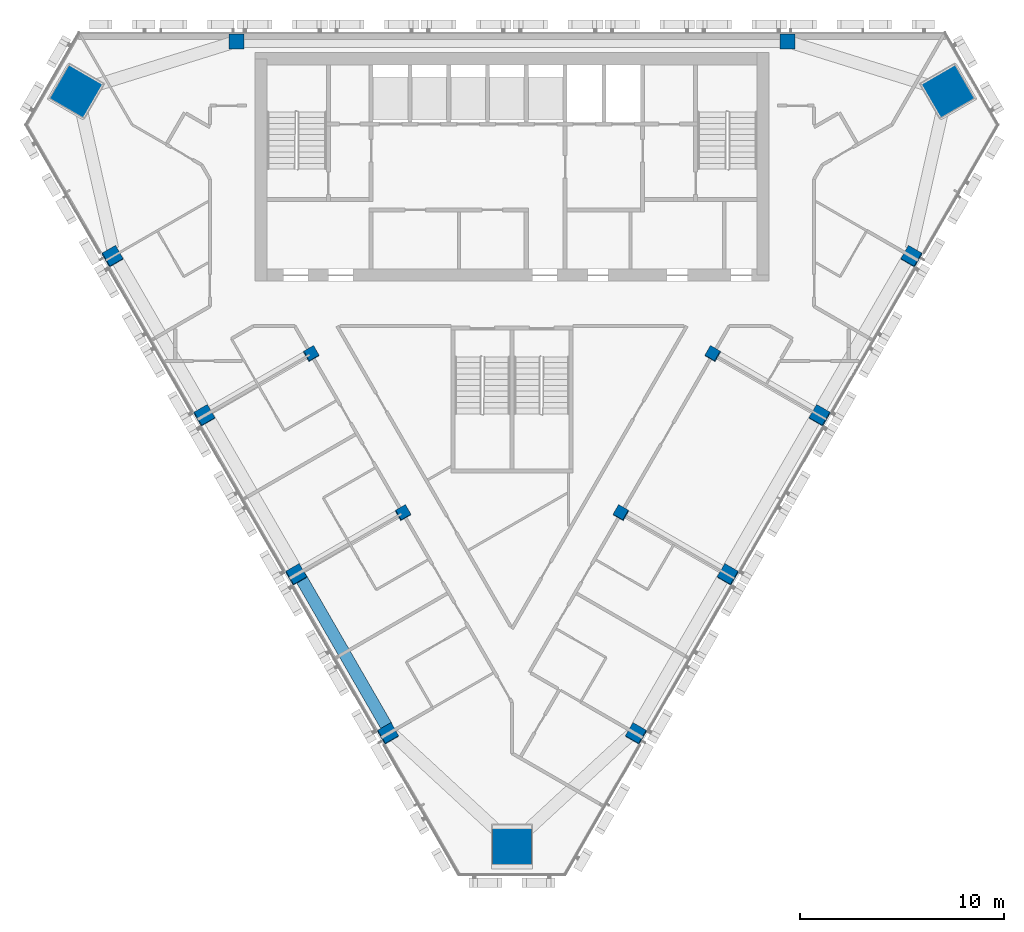
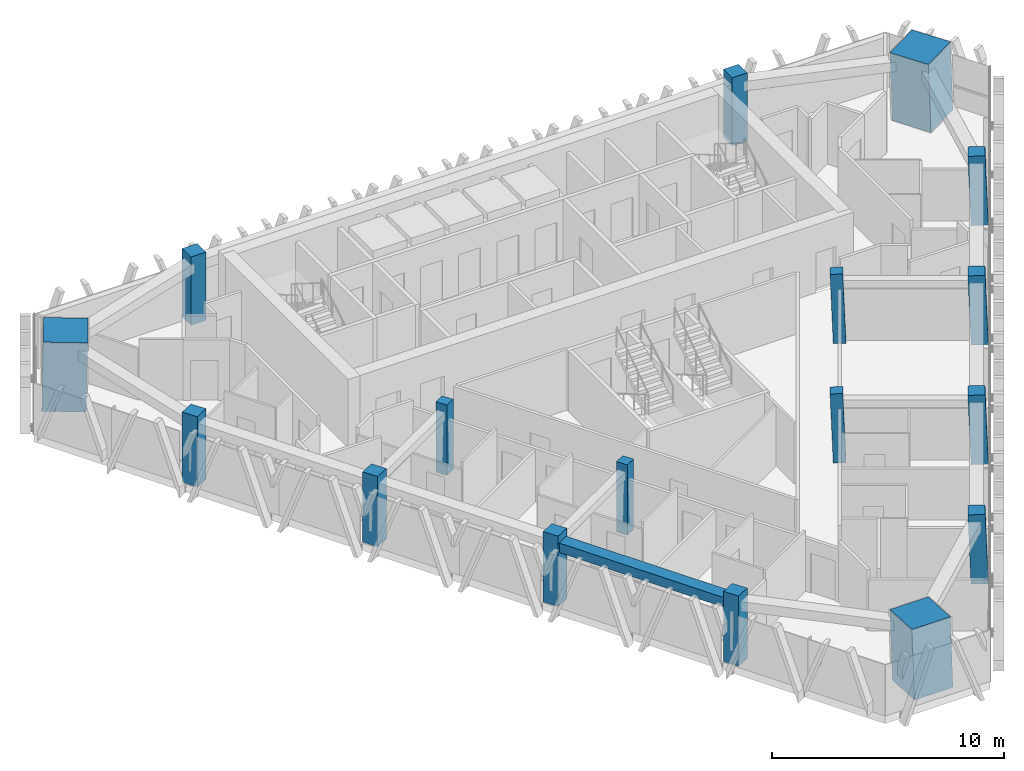
# One storey, part 1 of 15: 17 columns, 1 beam.
"""IFC4 building model written with IfcOpenShell, lengths in metres."""

from ifc_helpers import new_model, si_unit, direction, frame, origin, origin_2d, place, context, subcontext, project, spatial, rectangle, extrude, material, material_profile, profile_set, type_object, element, save


model = new_model("IFC4")

# Units and contexts
model_context = context("Model", 3, precision=1e-05, world=origin(), true_north=direction((0.0, 1.0)))
body_context = subcontext(model_context, "Body", "Model", "MODEL_VIEW")
ifc_project = project(units=[si_unit("LENGTHUNIT", "METRE"), si_unit("AREAUNIT", "SQUARE_METRE"), si_unit("VOLUMEUNIT", "CUBIC_METRE"), si_unit("PLANEANGLEUNIT", "RADIAN"), si_unit("MASSUNIT", "GRAM", prefix="KILO")], contexts=[model_context])

# Site, building, storey
site_placement = place(None, origin())
site = spatial("IfcSite", under=ifc_project, at=site_placement, CompositionType="ELEMENT")
building_placement = place(site_placement, origin())
building = spatial("IfcBuilding", under=site, at=building_placement, Name="Altiplano Prism Tower", CompositionType="ELEMENT")
storey_placement = place(building_placement, frame((0.0, 0.0, 250.0)))
storey = spatial("IfcBuildingStorey", under=building, at=storey_placement, Name="L64", CompositionType="ELEMENT", Elevation=250.0)

# Columns
ifc_material_1 = material(Name="Concrete C60/75", Category="concrete")
ifc_material_profile_1 = material_profile(ifc_material_1, rectangle(XDim=0.550048828125, YDim=0.550048828125, at=origin_2d()), Name="Inner column 550")
ifc_profile_set_1 = profile_set([ifc_material_profile_1], Name="Concrete C60/75")
column_type_1 = type_object("IfcColumnType", Name="Inner column 550", PredefinedType="COLUMN", material=ifc_profile_set_1)
for number, where, z_axis, x_axis, name in (
    (1, (75.147216796875, 89.228515625, -0.0166015625), (0.022155133694, 0.038483534979, 0.999013597298), (-0.864982348473, -0.500326561063, 0.038456067456), "Inner column I12 L64"),
    (2, (79.647216796875, 81.434326171875, -0.0166015625), (0.022155133694, 0.038483534979, 0.999013597298), (-0.864982357223, -0.500326545966, 0.038456067068), "Inner column I13 L64"),
    (3, (90.352783203125, 81.434326171875, -0.0166015625), (-0.022155133694, 0.038483534979, 0.999013597298), (-0.501312947912, -0.864981135596, 0.022202777284), "Inner column I22 L64"),
    (4, (94.852783203125, 89.228515625, -0.0166015625), (-0.022155133694, 0.038483534979, 0.999013597298), (-0.501312947912, -0.864981135596, 0.022202777284), "Inner column I23 L64"),
):
    element("IfcColumn", number, at=place(storey_placement, frame(where, z_axis=z_axis, x_axis=x_axis)), inside=storey, type_object=column_type_1, Name=name, PredefinedType="COLUMN", context=body_context, shape_type="SweptSolid", body=[
        extrude(rectangle(XDim=0.550048828125, YDim=0.550048828125, at=origin_2d()), origin(), (0.0, 0.0, 1.0), 3.603515625),
    ])
ifc_material_2 = material(Name="Concrete C70/85", Category="concrete")
ifc_material_profile_2 = material_profile(ifc_material_2, rectangle(XDim=1.919921875, YDim=1.919921875, at=origin_2d()), Name="Mega column infill 2000")
ifc_profile_set_2 = profile_set([ifc_material_profile_2], Name="Concrete C70/85")
column_type_2 = type_object("IfcColumnType", Name="Mega column infill 2000", PredefinedType="COLUMN", material=ifc_profile_set_2)
column_1_placement = place(storey_placement, frame((63.586669921875, 102.08447265625, 0.0), z_axis=(0.028401814599, 0.009218727412, 0.999554076572), x_axis=(-0.865118567614, 0.501170105714, 0.019959687064)))
element("IfcColumn", 5, at=column_1_placement, inside=storey, type_object=column_type_2, Name="Mega column M0 L64", PredefinedType="COLUMN", context=body_context, shape_type="SweptSolid", body=[
    extrude(rectangle(XDim=1.919921875, YDim=1.919921875, at=origin_2d()), origin(), (0.0, 0.0, 1.0), 3.601806640625),
])
column_2_placement = place(storey_placement, frame((85.0, 64.99560546875, 0.0), z_axis=(0.0, 0.058289438722, 0.9982997252), x_axis=(-1.0, 0.0, 0.0)))
element("IfcColumn", 6, at=column_2_placement, inside=storey, type_object=column_type_2, Name="Mega column M1 L64", PredefinedType="COLUMN", context=body_context, shape_type="SweptSolid", body=[
    extrude(rectangle(XDim=1.919921875, YDim=1.919921875, at=origin_2d()), origin(), (0.0, 0.0, 1.0), 3.606201171875),
])
column_3_placement = place(storey_placement, frame((106.413330078125, 102.08447265625, 0.0), z_axis=(-0.028401814599, 0.009218727412, 0.999554076572), x_axis=(0.500762619309, -0.865299682308, 0.022209432679)))
element("IfcColumn", 7, at=column_3_placement, inside=storey, type_object=column_type_2, Name="Mega column M2 L64", PredefinedType="COLUMN", context=body_context, shape_type="SweptSolid", body=[
    extrude(rectangle(XDim=1.919921875, YDim=1.919921875, at=origin_2d()), origin(), (0.0, 0.0, 1.0), 3.601806640625),
])
ifc_material_profile_3 = material_profile(ifc_material_1, rectangle(XDim=0.75, YDim=0.75, at=origin_2d()), Name="Perimeter column 750")
ifc_profile_set_3 = profile_set([ifc_material_profile_3], Name="Concrete C60/75")
column_type_3 = type_object("IfcColumnType", Name="Perimeter column 750", PredefinedType="COLUMN", material=ifc_profile_set_3)
for number, where, z_axis, x_axis, name in (
    (8, (98.5, 104.550048828125, 0.0), (0.0, 0.0, 1.0), (1.0, 0.0, 0.0), "Perimeter column P01 L64"),
    (9, (71.5, 104.550048828125, 0.0), (0.0, 0.0, 1.0), (1.0, 0.0, 0.0), "Perimeter column P04 L64"),
):
    element("IfcColumn", number, at=place(storey_placement, frame(where, z_axis=z_axis, x_axis=x_axis)), inside=storey, type_object=column_type_3, Name=name, PredefinedType="COLUMN", context=body_context, shape_type="SweptSolid", body=[
        extrude(rectangle(XDim=0.75, YDim=0.75, at=origin_2d()), origin(), (0.0, 0.0, 1.0), 3.60009765625),
    ])
for number, where, z_axis, x_axis, name in (
    (10, (65.407470703125, 93.99755859375, -0.022705078125), (0.022222852987, 0.038483477124, 0.999012095419), (-0.865642023381, -0.499182098683, 0.038485318123), "Perimeter column P11 L64"),
    (11, (69.907470703125, 86.203369140625, -0.022705078125), (0.022222852987, 0.038483477124, 0.999012095419), (-0.865642014651, -0.499182113792, 0.038485318511), "Perimeter column P12 L64"),
    (12, (74.407470703125, 78.4091796875, -0.022705078125), (0.022222910879, 0.038415824599, 0.999014697916), (-0.866023990094, -0.498523047361, 0.038434617606), "Perimeter column P13 L64"),
    (13, (78.907470703125, 70.614990234375, -0.022705078125), (0.022222910879, 0.038415824599, 0.999014697916), (-0.866023981376, -0.498523062476, 0.038434617994), "Perimeter column P14 L64"),
    (14, (91.092529296875, 70.614990234375, -0.022705078125), (-0.022222910879, 0.038415824599, 0.999014697916), (-0.499512989381, -0.866022152755, 0.02219018651), "Perimeter column P21 L64"),
    (15, (95.592529296875, 78.4091796875, -0.022705078125), (-0.022222910879, 0.038415824599, 0.999014697916), (-0.499508349092, -0.866024823934, 0.02219039245), "Perimeter column P22 L64"),
    (16, (100.092529296875, 86.203369140625, -0.022705078125), (-0.022222852987, 0.038483477124, 0.999012095419), (-0.500169988153, -0.86564211394, 0.022219665283), "Perimeter column P23 L64"),
    (17, (104.592529296875, 93.99755859375, -0.022705078125), (-0.022222852987, 0.038483477124, 0.999012095419), (-0.500169973044, -0.865642122652, 0.022219665955), "Perimeter column P24 L64"),
):
    element("IfcColumn", number, at=place(storey_placement, frame(where, z_axis=z_axis, x_axis=x_axis)), inside=storey, type_object=column_type_3, Name=name, PredefinedType="COLUMN", context=body_context, shape_type="SweptSolid", body=[
        extrude(rectangle(XDim=0.75, YDim=0.75, at=origin_2d()), origin(), (0.0, 0.0, 1.0), 3.603515625),
    ])

# Beam
ifc_material_profile_4 = material_profile(ifc_material_1, rectangle(XDim=0.60009765625, YDim=0.5, at=origin_2d()), Name="Edge beam 600x500")
ifc_profile_set_4 = profile_set([ifc_material_profile_4], Name="Concrete C60/75")
beam_type = type_object("IfcBeamType", Name="Edge beam 600x500", PredefinedType="SPANDREL", material=ifc_profile_set_4)
beam_placement = place(storey_placement, frame((74.615478515625, 78.327880859375, 2.949951171875), z_axis=(0.499998747907, -0.86602612668, 0.0), x_axis=(0.86602612668, 0.499998747907, 0.0)))
element("IfcBeam", 18, at=beam_placement, inside=storey, type_object=beam_type, Name="Edge beam P13-P14 L65", PredefinedType="SPANDREL", context=body_context, shape_type="SweptSolid", body=[
    extrude(rectangle(XDim=0.60009765625, YDim=0.5, at=origin_2d()), origin(), (0.0, 0.0, 1.0), 8.490234375),
])

save(model, "model.ifc")
